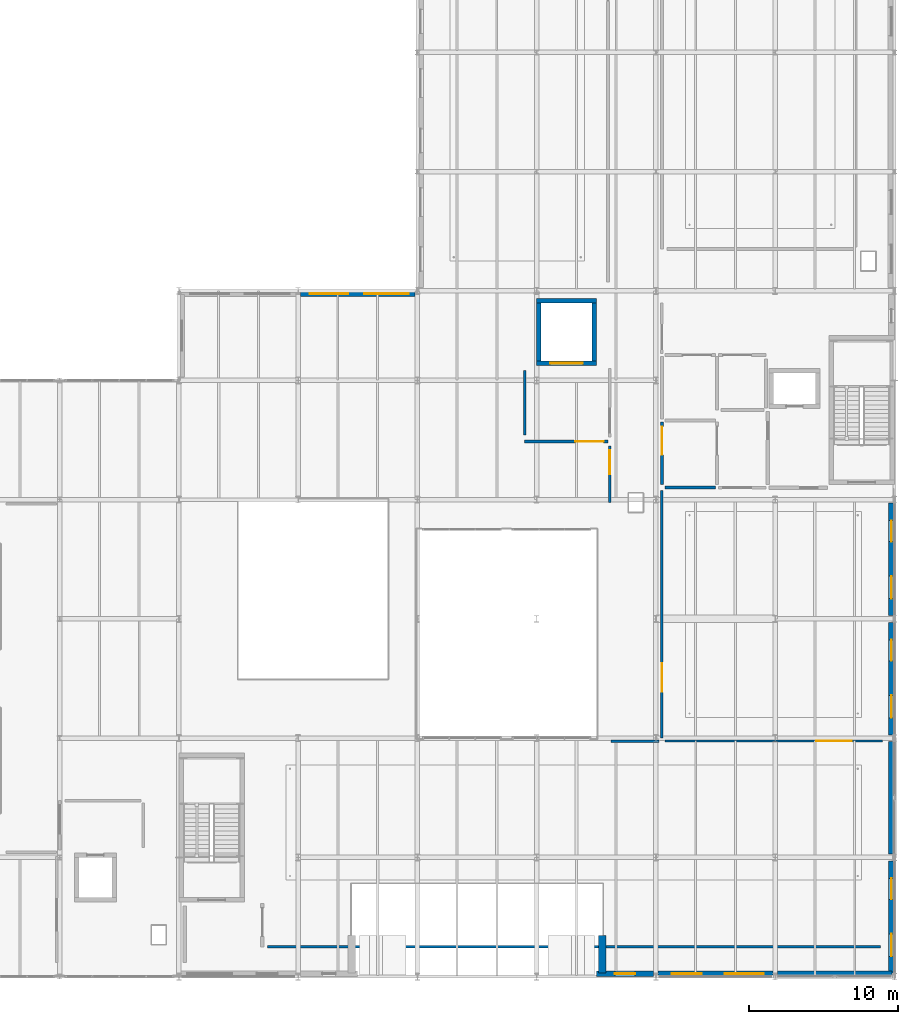
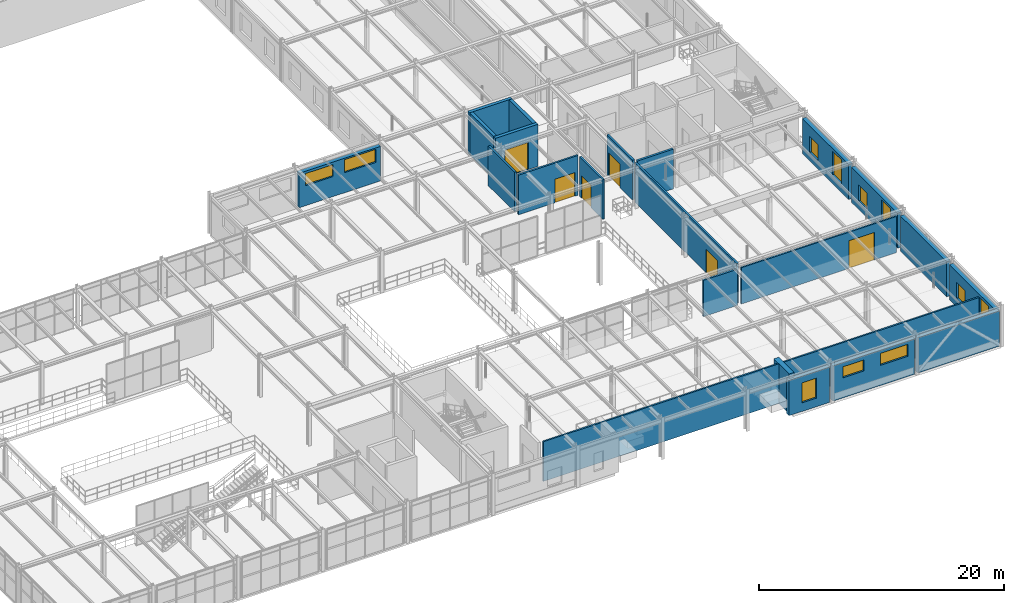
# One storey, part 86 of 124: 22 walls, 11 windows, 6 doors, 17 openings.
"""IFC4 building model written with IfcOpenShell, lengths in metres."""

from ifc_helpers import new_model, si_unit, direction, frame, frame_2d, origin, place, context, subcontext, project, spatial, rectangle, extrude, material, layer, layer_set, type_object, element, fill, save


model = new_model("IFC4")

# Units and contexts
model_context = context("Model", 3, precision=1e-05, world=origin(), true_north=direction((0.0, 1.0)))
body_context = subcontext(model_context, "Body", "Model", "MODEL_VIEW")
ifc_project = project(units=[si_unit("LENGTHUNIT", "METRE"), si_unit("AREAUNIT", "SQUARE_METRE"), si_unit("VOLUMEUNIT", "CUBIC_METRE"), si_unit("PLANEANGLEUNIT", "RADIAN"), si_unit("MASSUNIT", "GRAM", prefix="KILO")], contexts=[model_context])

# Site, building, storey
site_placement = place(None, origin())
site = spatial("IfcSite", under=ifc_project, at=site_placement, CompositionType="ELEMENT")
building_placement = place(site_placement, origin())
building = spatial("IfcBuilding", under=site, at=building_placement, Name="Sundkrona Museum", CompositionType="ELEMENT")
storey_placement = place(building_placement, frame((0.0, 0.0, 17.60009765625)))
storey = spatial("IfcBuildingStorey", under=building, at=storey_placement, Name="L03", CompositionType="ELEMENT", Elevation=17.60009765625)

# Wall, opening, door
ifc_material_1 = material(Name="Concrete C40/50", Category="concrete")
ifc_layer_1 = layer(ifc_material_1, 0.300048828125)
ifc_layer_set_1 = layer_set([ifc_layer_1], Name="Concrete C40/50")
wall_type_1 = type_object("IfcWallType", Name="W-CORE-300", PredefinedType="SHEAR", material=ifc_layer_set_1)
wall_1_placement = place(storey_placement, frame((144.0, 41.14990234375, 0.0), z_axis=(0.0, 0.0, 1.0), x_axis=(1.0, 0.0, 0.0)))
wall_1 = element("IfcWall", 1, at=wall_1_placement, inside=storey, type_object=wall_type_1, Name="L03 GL-1 Lift Shaft Wall South", PredefinedType="SHEAR", context=body_context, shape_type="SweptSolid", body=[
    extrude(rectangle(XDim=4.0, YDim=0.300048828125, at=frame_2d((2.0, 0.0))), origin(), (0.0, 0.0, 1.0), 4.199951171875),
])
opening_1_placement = place(wall_1_placement, frame((0.89990234375, 0.0, 0.0)))
opening_1 = element("IfcOpeningElement", 2, at=opening_1_placement, cuts=wall_1, Name="Opening LD-GL", PredefinedType="OPENING", context=body_context, shape_type="SweptSolid", body=[
    extrude(rectangle(XDim=2.199951171875, YDim=2.699951171875, at=frame_2d((1.10009765625, 1.35009765625))), frame((0.0, 0.159912109375, 0.0), z_axis=(0.0, -1.0, 0.0), x_axis=(1.0, 0.0, 0.0)), (0.0, 0.0, 1.0), 0.320068359375),
])
ifc_material_2 = material(Name="Heavy Stainless Steel Goods Lift Door", Category="steel")
door_type_1 = type_object("IfcDoorType", Name="LD-GL", OperationType="DOUBLE_DOOR_SLIDING", PredefinedType="DOOR", material=ifc_material_2)
door_1_placement = place(opening_1_placement, origin())
door_1 = element("IfcDoor", 3, at=door_1_placement, inside=storey, type_object=door_type_1, Name="L03 Goods Lift Landing Door DR-LIFT-GL-1-L03", OperationType="DOUBLE_DOOR_SLIDING", OverallHeight=2.699951171875, OverallWidth=2.199951171875, PredefinedType="DOOR", context=body_context, shape_type="SweptSolid", body=[
    extrude(rectangle(XDim=2.199951171875, YDim=2.699951171875, at=frame_2d((1.10009765625, 1.35009765625))), frame((0.0, 0.02490234375, 0.0), z_axis=(0.0, -1.0, 0.0), x_axis=(1.0, 0.0, 0.0)), (0.0, 0.0, 1.0), 0.050048828125),
])
fill(opening_1, door_1)

# Walls
wall_2_placement = place(storey_placement, frame((144.0, 45.35009765625, 0.0), z_axis=(0.0, 0.0, 1.0), x_axis=(1.0, 0.0, 0.0)))
element("IfcWall", 4, at=wall_2_placement, inside=storey, type_object=wall_type_1, Name="L03 GL-1 Lift Shaft Wall North", PredefinedType="SHEAR", context=body_context, shape_type="SweptSolid", body=[
    extrude(rectangle(XDim=4.0, YDim=0.300048828125, at=frame_2d((2.0, 0.0))), origin(), (0.0, 0.0, 1.0), 4.199951171875),
])
for number, where, z_axis, x_axis, name in (
    (5, (144.14990234375, 41.31005859375, 0.0), (0.0, 0.0, 1.0), (0.0, 1.0, 0.0), "L03 GL-1 Lift Shaft Wall West"),
    (6, (147.85009765625, 41.31005859375, 0.0), (0.0, 0.0, 1.0), (0.0, 1.0, 0.0), "L03 GL-1 Lift Shaft Wall East"),
):
    element("IfcWall", number, at=place(storey_placement, frame(where, z_axis=z_axis, x_axis=x_axis)), inside=storey, type_object=wall_type_1, Name=name, PredefinedType="SHEAR", context=body_context, shape_type="SweptSolid", body=[
        extrude(rectangle(XDim=3.8798828125, YDim=0.300048828125, at=frame_2d((1.93994140625, 0.0))), origin(), (0.0, 0.0, 1.0), 4.199951171875),
    ])

# Wall, openings, windows
ifc_material_3 = material(Name="Scanian Polychrome Clay Brickwork 390 mm", Category="masonry")
ifc_layer_2 = layer(ifc_material_3, 0.389892578125)
ifc_layer_set_2 = layer_set([ifc_layer_2], Name="Scanian Polychrome Clay Brickwork 390 mm")
wall_type_2 = type_object("IfcWallType", Name="W-EX-390", PredefinedType="SOLIDWALL", material=ifc_layer_set_2)
wall_3_placement = place(storey_placement, frame((159.847900390625, 0.195068359375, 0.0), z_axis=(0.0, 0.0, 1.0), x_axis=(-1.0, 0.0, 0.0)))
wall_3 = element("IfcWall", 7, at=wall_3_placement, inside=storey, type_object=wall_type_2, Name="L03 Facade Wall 0040", PredefinedType="SOLIDWALL", context=body_context, shape_type="SweptSolid", body=[
    extrude(rectangle(XDim=7.69580078125, YDim=0.389892578125, at=frame_2d((3.847900390625, 0.0))), origin(), (0.0, 0.0, 1.0), 3.5048828125),
])
opening_2_placement = place(wall_3_placement, frame((0.6240234375, 0.0, 2.0)))
opening_2 = element("IfcOpeningElement", 8, at=opening_2_placement, cuts=wall_3, Name="Opening WN-CL-260x120", PredefinedType="OPENING", context=body_context, shape_type="SweptSolid", body=[
    extrude(rectangle(XDim=2.60009765625, YDim=1.199951171875, at=frame_2d((1.300048828125, 0.60009765625))), frame((0.0, 0.204833984375, 0.0), z_axis=(0.0, -1.0, 0.0), x_axis=(1.0, 0.0, 0.0)), (0.0, 0.0, 1.0), 0.409912109375),
])
opening_3_placement = place(wall_3_placement, frame((4.77197265625, 0.0, 2.0)))
opening_3 = element("IfcOpeningElement", 9, at=opening_3_placement, cuts=wall_3, Name="Opening WN-CL-200x110", PredefinedType="OPENING", context=body_context, shape_type="SweptSolid", body=[
    extrude(rectangle(XDim=2.0, YDim=1.10009765625, at=frame_2d((1.0, 0.550048828125))), frame((0.0, 0.204833984375, 0.0), z_axis=(0.0, -1.0, 0.0), x_axis=(1.0, 0.0, 0.0)), (0.0, 0.0, 1.0), 0.409912109375),
])
ifc_material_4 = material(Name="Triple Low-E Argon Glazing in Bronze-Anodised Aluminium", Category="aluminium")
window_type_1 = type_object("IfcWindowType", Name="WN-CL-200x110", PartitioningType="DOUBLE_PANEL_HORIZONTAL", PredefinedType="WINDOW", material=ifc_material_4)
window_1_placement = place(opening_3_placement, origin())
window_1 = element("IfcWindow", 10, at=window_1_placement, inside=storey, type_object=window_type_1, Name="L03 Archive foyer clerestory window 2000x1100 WIN-L03-0053", OverallHeight=1.10009765625, OverallWidth=2.0, PartitioningType="DOUBLE_PANEL_HORIZONTAL", PredefinedType="WINDOW", context=body_context, shape_type="SweptSolid", body=[
    extrude(rectangle(XDim=2.0, YDim=1.10009765625, at=frame_2d((1.0, 0.550048828125))), frame((0.0, 0.030029296875, 0.0), z_axis=(0.0, -1.0, 0.0), x_axis=(1.0, 0.0, 0.0)), (0.0, 0.0, 1.0), 0.06005859375),
])
fill(opening_3, window_1)
window_type_2 = type_object("IfcWindowType", Name="WN-CL-260x120", PartitioningType="DOUBLE_PANEL_HORIZONTAL", PredefinedType="WINDOW", material=ifc_material_4)
window_2_placement = place(opening_2_placement, origin())
window_2 = element("IfcWindow", 11, at=window_2_placement, inside=storey, type_object=window_type_2, Name="L03 High-level gallery clerestory ribbon window 2600x1200 WIN-L03-0052", OverallHeight=1.199951171875, OverallWidth=2.60009765625, PartitioningType="DOUBLE_PANEL_HORIZONTAL", PredefinedType="WINDOW", context=body_context, shape_type="SweptSolid", body=[
    extrude(rectangle(XDim=2.60009765625, YDim=1.199951171875, at=frame_2d((1.300048828125, 0.60009765625))), frame((0.0, 0.030029296875, 0.0), z_axis=(0.0, -1.0, 0.0), x_axis=(1.0, 0.0, 0.0)), (0.0, 0.0, 1.0), 0.06005859375),
])
fill(opening_2, window_2)

# Wall
wall_4_placement = place(storey_placement, frame((167.847900390625, 0.195068359375, 0.0), z_axis=(0.0, 0.0, 1.0), x_axis=(-1.0, 0.0, 0.0)))
element("IfcWall", 12, at=wall_4_placement, inside=storey, type_object=wall_type_2, Name="L03 Facade Wall 0041", PredefinedType="SOLIDWALL", context=body_context, shape_type="SweptSolid", body=[
    extrude(rectangle(XDim=7.69580078125, YDim=0.389892578125, at=frame_2d((3.847900390625, 0.0))), origin(), (0.0, 0.0, 1.0), 3.5048828125),
])

# Wall, opening, window
wall_5_placement = place(storey_placement, frame((151.847900390625, 0.195068359375, 0.0), z_axis=(0.0, 0.0, 1.0), x_axis=(-1.0, 0.0, 0.0)))
wall_5 = element("IfcWall", 13, at=wall_5_placement, inside=storey, type_object=wall_type_2, Name="L03 Facade Wall 0042", PredefinedType="SOLIDWALL", context=body_context, shape_type="SweptSolid", body=[
    extrude(rectangle(XDim=3.837890625, YDim=0.389892578125, at=frame_2d((1.9189453125, 0.0))), origin(), (0.0, 0.0, 1.0), 3.5048828125),
])
opening_4_placement = place(wall_5_placement, frame((1.243896484375, 0.0, 0.85009765625)))
opening_4 = element("IfcOpeningElement", 14, at=opening_4_placement, cuts=wall_5, Name="Opening WN-OC-135x200", PredefinedType="OPENING", context=body_context, shape_type="SweptSolid", body=[
    extrude(rectangle(XDim=1.35009765625, YDim=2.0, at=frame_2d((0.675048828125, 1.0))), frame((0.0, 0.204833984375, 0.0), z_axis=(0.0, -1.0, 0.0), x_axis=(1.0, 0.0, 0.0)), (0.0, 0.0, 1.0), 0.409912109375),
])
window_type_3 = type_object("IfcWindowType", Name="WN-OC-135x200", PartitioningType="SINGLE_PANEL", PredefinedType="WINDOW", material=ifc_material_4)
window_3_placement = place(opening_4_placement, origin())
window_3 = element("IfcWindow", 15, at=window_3_placement, inside=storey, type_object=window_type_3, Name="L03 Oculus cheek-reveal side window 1350x2000 WIN-L03-0054", OverallHeight=2.0, OverallWidth=1.35009765625, PartitioningType="SINGLE_PANEL", PredefinedType="WINDOW", context=body_context, shape_type="SweptSolid", body=[
    extrude(rectangle(XDim=1.35009765625, YDim=2.0, at=frame_2d((0.675048828125, 1.0))), frame((0.0, 0.030029296875, 0.0), z_axis=(0.0, -1.0, 0.0), x_axis=(1.0, 0.0, 0.0)), (0.0, 0.0, 1.0), 0.06005859375),
])
fill(opening_4, window_3)

# Wall, openings, windows
wall_6_placement = place(storey_placement, frame((167.804931640625, 7.77294921875, 0.0), z_axis=(0.0, 0.0, 1.0), x_axis=(0.0, -1.0, 0.0)))
wall_6 = element("IfcWall", 16, at=wall_6_placement, inside=storey, type_object=wall_type_2, Name="L03 Facade Wall 0043", PredefinedType="SOLIDWALL", context=body_context, shape_type="SweptSolid", body=[
    extrude(rectangle(XDim=7.5458984375, YDim=0.389892578125, at=frame_2d((3.77294921875, 0.0))), origin(), (0.0, 0.0, 1.0), 3.5048828125),
])
opening_5_placement = place(wall_6_placement, frame((1.1865234375, 0.0, 0.85009765625)))
opening_5 = element("IfcOpeningElement", 17, at=opening_5_placement, cuts=wall_6, Name="Opening WN-LB-140x160", PredefinedType="OPENING", context=body_context, shape_type="SweptSolid", body=[
    extrude(rectangle(XDim=1.39990234375, YDim=1.60009765625, at=frame_2d((0.699951171875, 0.800048828125))), frame((0.0, 0.204833984375, 0.0), z_axis=(0.0, -1.0, 0.0), x_axis=(1.0, 0.0, 0.0)), (0.0, 0.0, 1.0), 0.409912109375),
])
opening_6_placement = place(wall_6_placement, frame((4.909423828125, 0.0, 0.85009765625)))
opening_6 = element("IfcOpeningElement", 18, at=opening_6_placement, cuts=wall_6, Name="Opening WN-GL-150x240", PredefinedType="OPENING", context=body_context, shape_type="SweptSolid", body=[
    extrude(rectangle(XDim=1.5, YDim=2.39990234375, at=frame_2d((0.75, 1.199951171875))), frame((0.0, 0.204833984375, 0.0), z_axis=(0.0, -1.0, 0.0), x_axis=(1.0, 0.0, 0.0)), (0.0, 0.0, 1.0), 0.409912109375),
])
window_type_4 = type_object("IfcWindowType", Name="WN-GL-150x240", PartitioningType="SINGLE_PANEL", PredefinedType="WINDOW", material=ifc_material_4)
window_4_placement = place(opening_6_placement, origin())
window_4 = element("IfcWindow", 19, at=window_4_placement, inside=storey, type_object=window_type_4, Name="L03 Finned wing deep-reveal gallery window 1500x2400 WIN-L03-0056", OverallHeight=2.39990234375, OverallWidth=1.5, PartitioningType="SINGLE_PANEL", PredefinedType="WINDOW", context=body_context, shape_type="SweptSolid", body=[
    extrude(rectangle(XDim=1.5, YDim=2.39990234375, at=frame_2d((0.75, 1.199951171875))), frame((0.0, 0.030029296875, 0.0), z_axis=(0.0, -1.0, 0.0), x_axis=(1.0, 0.0, 0.0)), (0.0, 0.0, 1.0), 0.06005859375),
])
fill(opening_6, window_4)
window_type_5 = type_object("IfcWindowType", Name="WN-LB-140x160", PartitioningType="SINGLE_PANEL", PredefinedType="WINDOW", material=ifc_material_4)
window_5_placement = place(opening_5_placement, origin())
window_5 = element("IfcWindow", 20, at=window_5_placement, inside=storey, type_object=window_type_5, Name="L03 Curatorial study window 1400x1600 WIN-L03-0055", OverallHeight=1.60009765625, OverallWidth=1.39990234375, PartitioningType="SINGLE_PANEL", PredefinedType="WINDOW", context=body_context, shape_type="SweptSolid", body=[
    extrude(rectangle(XDim=1.39990234375, YDim=1.60009765625, at=frame_2d((0.699951171875, 0.800048828125))), frame((0.0, 0.030029296875, 0.0), z_axis=(0.0, -1.0, 0.0), x_axis=(1.0, 0.0, 0.0)), (0.0, 0.0, 1.0), 0.06005859375),
])
fill(opening_5, window_5)

# Wall
wall_7_placement = place(storey_placement, frame((167.804931640625, 15.77294921875, 0.0), z_axis=(0.0, 0.0, 1.0), x_axis=(0.0, -1.0, 0.0)))
element("IfcWall", 21, at=wall_7_placement, inside=storey, type_object=wall_type_2, Name="L03 Facade Wall 0044", PredefinedType="SOLIDWALL", context=body_context, shape_type="SweptSolid", body=[
    extrude(rectangle(XDim=7.5458984375, YDim=0.389892578125, at=frame_2d((3.77294921875, 0.0))), origin(), (0.0, 0.0, 1.0), 3.5048828125),
])

# Wall, openings, windows
wall_8_placement = place(storey_placement, frame((167.804931640625, 23.77294921875, 0.0), z_axis=(0.0, 0.0, 1.0), x_axis=(0.0, -1.0, 0.0)))
wall_8 = element("IfcWall", 22, at=wall_8_placement, inside=storey, type_object=wall_type_2, Name="L03 Facade Wall 0045", PredefinedType="SOLIDWALL", context=body_context, shape_type="SweptSolid", body=[
    extrude(rectangle(XDim=7.5458984375, YDim=0.389892578125, at=frame_2d((3.77294921875, 0.0))), origin(), (0.0, 0.0, 1.0), 3.5048828125),
])
opening_7_placement = place(wall_8_placement, frame((1.1865234375, 0.0, 0.85009765625)))
opening_7 = element("IfcOpeningElement", 23, at=opening_7_placement, cuts=wall_8, Name="Opening WN-LB-140x160", PredefinedType="OPENING", context=body_context, shape_type="SweptSolid", body=[
    extrude(rectangle(XDim=1.39990234375, YDim=1.60009765625, at=frame_2d((0.699951171875, 0.800048828125))), frame((0.0, 0.204833984375, 0.0), z_axis=(0.0, -1.0, 0.0), x_axis=(1.0, 0.0, 0.0)), (0.0, 0.0, 1.0), 0.409912109375),
])
opening_8_placement = place(wall_8_placement, frame((4.909423828125, 0.0, 0.85009765625)))
opening_8 = element("IfcOpeningElement", 24, at=opening_8_placement, cuts=wall_8, Name="Opening WN-GL-150x240", PredefinedType="OPENING", context=body_context, shape_type="SweptSolid", body=[
    extrude(rectangle(XDim=1.5, YDim=2.39990234375, at=frame_2d((0.75, 1.199951171875))), frame((0.0, 0.204833984375, 0.0), z_axis=(0.0, -1.0, 0.0), x_axis=(1.0, 0.0, 0.0)), (0.0, 0.0, 1.0), 0.409912109375),
])
window_6_placement = place(opening_8_placement, origin())
window_6 = element("IfcWindow", 25, at=window_6_placement, inside=storey, type_object=window_type_4, Name="L03 Finned wing deep-reveal gallery window 1500x2400 WIN-L03-0058", OverallHeight=2.39990234375, OverallWidth=1.5, PartitioningType="SINGLE_PANEL", PredefinedType="WINDOW", context=body_context, shape_type="SweptSolid", body=[
    extrude(rectangle(XDim=1.5, YDim=2.39990234375, at=frame_2d((0.75, 1.199951171875))), frame((0.0, 0.030029296875, 0.0), z_axis=(0.0, -1.0, 0.0), x_axis=(1.0, 0.0, 0.0)), (0.0, 0.0, 1.0), 0.06005859375),
])
fill(opening_8, window_6)
window_7_placement = place(opening_7_placement, origin())
window_7 = element("IfcWindow", 26, at=window_7_placement, inside=storey, type_object=window_type_5, Name="L03 Curatorial study window 1400x1600 WIN-L03-0057", OverallHeight=1.60009765625, OverallWidth=1.39990234375, PartitioningType="SINGLE_PANEL", PredefinedType="WINDOW", context=body_context, shape_type="SweptSolid", body=[
    extrude(rectangle(XDim=1.39990234375, YDim=1.60009765625, at=frame_2d((0.699951171875, 0.800048828125))), frame((0.0, 0.030029296875, 0.0), z_axis=(0.0, -1.0, 0.0), x_axis=(1.0, 0.0, 0.0)), (0.0, 0.0, 1.0), 0.06005859375),
])
fill(opening_7, window_7)

wall_9_placement = place(storey_placement, frame((167.804931640625, 31.77294921875, 0.0), z_axis=(0.0, 0.0, 1.0), x_axis=(0.0, -1.0, 0.0)))
wall_9 = element("IfcWall", 27, at=wall_9_placement, inside=storey, type_object=wall_type_2, Name="L03 Facade Wall 0046", PredefinedType="SOLIDWALL", context=body_context, shape_type="SweptSolid", body=[
    extrude(rectangle(XDim=7.5458984375, YDim=0.389892578125, at=frame_2d((3.77294921875, 0.0))), origin(), (0.0, 0.0, 1.0), 3.5048828125),
])
opening_9_placement = place(wall_9_placement, frame((1.1865234375, 0.0, 0.85009765625)))
opening_9 = element("IfcOpeningElement", 28, at=opening_9_placement, cuts=wall_9, Name="Opening WN-LB-140x160", PredefinedType="OPENING", context=body_context, shape_type="SweptSolid", body=[
    extrude(rectangle(XDim=1.39990234375, YDim=1.60009765625, at=frame_2d((0.699951171875, 0.800048828125))), frame((0.0, 0.204833984375, 0.0), z_axis=(0.0, -1.0, 0.0), x_axis=(1.0, 0.0, 0.0)), (0.0, 0.0, 1.0), 0.409912109375),
])
opening_10_placement = place(wall_9_placement, frame((4.909423828125, 0.0, 0.85009765625)))
opening_10 = element("IfcOpeningElement", 29, at=opening_10_placement, cuts=wall_9, Name="Opening WN-GL-150x240", PredefinedType="OPENING", context=body_context, shape_type="SweptSolid", body=[
    extrude(rectangle(XDim=1.5, YDim=2.39990234375, at=frame_2d((0.75, 1.199951171875))), frame((0.0, 0.204833984375, 0.0), z_axis=(0.0, -1.0, 0.0), x_axis=(1.0, 0.0, 0.0)), (0.0, 0.0, 1.0), 0.409912109375),
])
window_8_placement = place(opening_10_placement, origin())
window_8 = element("IfcWindow", 30, at=window_8_placement, inside=storey, type_object=window_type_4, Name="L03 Finned wing deep-reveal gallery window 1500x2400 WIN-L03-0060", OverallHeight=2.39990234375, OverallWidth=1.5, PartitioningType="SINGLE_PANEL", PredefinedType="WINDOW", context=body_context, shape_type="SweptSolid", body=[
    extrude(rectangle(XDim=1.5, YDim=2.39990234375, at=frame_2d((0.75, 1.199951171875))), frame((0.0, 0.030029296875, 0.0), z_axis=(0.0, -1.0, 0.0), x_axis=(1.0, 0.0, 0.0)), (0.0, 0.0, 1.0), 0.06005859375),
])
fill(opening_10, window_8)
window_9_placement = place(opening_9_placement, origin())
window_9 = element("IfcWindow", 31, at=window_9_placement, inside=storey, type_object=window_type_5, Name="L03 Curatorial study window 1400x1600 WIN-L03-0059", OverallHeight=1.60009765625, OverallWidth=1.39990234375, PartitioningType="SINGLE_PANEL", PredefinedType="WINDOW", context=body_context, shape_type="SweptSolid", body=[
    extrude(rectangle(XDim=1.39990234375, YDim=1.60009765625, at=frame_2d((0.699951171875, 0.800048828125))), frame((0.0, 0.030029296875, 0.0), z_axis=(0.0, -1.0, 0.0), x_axis=(1.0, 0.0, 0.0)), (0.0, 0.0, 1.0), 0.06005859375),
])
fill(opening_9, window_9)

# Wall
ifc_material_5 = material(Name="Danian Limestone Ashlar Masonry 480 mm", Category="masonry")
ifc_layer_3 = layer(ifc_material_5, 0.47998046875)
ifc_layer_set_3 = layer_set([ifc_layer_3], Name="Danian Limestone Ashlar Masonry 480 mm")
wall_type_3 = type_object("IfcWallType", Name="W-LIM-480", PredefinedType="SOLIDWALL", material=ifc_layer_set_3)
wall_10_placement = place(storey_placement, frame((148.39990234375, 0.239990234375, 0.0), z_axis=(0.0, 0.0, 1.0), x_axis=(0.0, 1.0, 0.0)))
element("IfcWall", 32, at=wall_10_placement, inside=storey, type_object=wall_type_3, Name="L03 Oculus Deep Reveal East Wall", PredefinedType="SOLIDWALL", context=body_context, shape_type="SweptSolid", body=[
    extrude(rectangle(XDim=2.510009765625, YDim=0.47998046875, at=frame_2d((1.2548828125, 0.0))), origin(), (0.0, 0.0, 1.0), 3.9599609375),
])

# Wall, opening, door
ifc_material_6 = material(Name="Acoustic Gypsum Partition Board 150 mm", Category="other")
ifc_layer_4 = layer(ifc_material_6, 0.14990234375)
ifc_layer_set_4 = layer_set([ifc_layer_4], Name="Acoustic Gypsum Partition Board 150 mm")
wall_type_4 = type_object("IfcWallType", Name="W-PT-150", PredefinedType="PARTITIONING", material=ifc_layer_set_4)
wall_11_placement = place(storey_placement, frame((152.60009765625, 15.800048828125, 0.0), z_axis=(0.0, 0.0, 1.0), x_axis=(1.0, 0.0, 0.0)))
wall_11 = element("IfcWall", 33, at=wall_11_placement, inside=storey, type_object=wall_type_4, Name="L03 Partition Evolutionary Biology Gallery / Ornithology Exhibition Hall", PredefinedType="PARTITIONING", context=body_context, shape_type="SweptSolid", body=[
    extrude(rectangle(XDim=14.599853515625, YDim=0.14990234375, at=frame_2d((7.2998046875, 0.0))), origin(), (0.0, 0.0, 1.0), 3.60986328125),
])
opening_11_placement = place(wall_11_placement, frame((10.142333984375, 0.0, 0.0)))
opening_11 = element("IfcOpeningElement", 34, at=opening_11_placement, cuts=wall_11, Name="Opening D-GAL-240", PredefinedType="OPENING", context=body_context, shape_type="SweptSolid", body=[
    extrude(rectangle(XDim=2.39990234375, YDim=2.75, at=frame_2d((1.199951171875, 1.375))), frame((0.0, 0.0849609375, 0.0), z_axis=(0.0, -1.0, 0.0), x_axis=(1.0, 0.0, 0.0)), (0.0, 0.0, 1.0), 0.169921875),
])
ifc_material_7 = material(Name="European Oak and Bronze Portal", Category="other")
door_type_2 = type_object("IfcDoorType", Name="D-GAL-240", OperationType="DOUBLE_DOOR_DOUBLE_SWING", PredefinedType="DOOR", material=ifc_material_7)
door_2_placement = place(opening_11_placement, origin())
door_2 = element("IfcDoor", 35, at=door_2_placement, inside=storey, type_object=door_type_2, Name="L03 Interior Door DR-ADJ-L03-0177", OperationType="DOUBLE_DOOR_DOUBLE_SWING", OverallHeight=2.75, OverallWidth=2.39990234375, PredefinedType="DOOR", context=body_context, shape_type="SweptSolid", body=[
    extrude(rectangle(XDim=2.39990234375, YDim=2.75, at=frame_2d((1.199951171875, 1.375))), frame((0.0, 0.02490234375, 0.0), z_axis=(0.0, -1.0, 0.0), x_axis=(1.0, 0.0, 0.0)), (0.0, 0.0, 1.0), 0.050048828125),
])
fill(opening_11, door_2)

# Wall
wall_12_placement = place(storey_placement, frame((125.949951171875, 2.0, 0.0), z_axis=(0.0, 0.0, 1.0), x_axis=(1.0, 0.0, 0.0)))
element("IfcWall", 36, at=wall_12_placement, inside=storey, type_object=wall_type_4, Name="L03 Evolutionary Biology Gallery Enclosure Wall S", PredefinedType="PARTITIONING", context=body_context, shape_type="SweptSolid", body=[
    extrude(rectangle(XDim=41.10009765625, YDim=0.14990234375, at=frame_2d((20.550048828125, 0.0))), origin(), (0.0, 0.0, 1.0), 3.9599609375),
])

# Wall, opening, door
ifc_material_8 = material(Name="Fire-rated Gypsum Partition Board 175 mm", Category="other")
ifc_layer_5 = layer(ifc_material_8, 0.175048828125)
ifc_layer_set_5 = layer_set([ifc_layer_5], Name="Fire-rated Gypsum Partition Board 175 mm")
wall_type_5 = type_object("IfcWallType", Name="W-PT-175", PredefinedType="PARTITIONING", material=ifc_layer_set_5)
wall_13_placement = place(storey_placement, frame((143.199951171875, 35.89990234375, 0.0), z_axis=(0.0, 0.0, 1.0), x_axis=(1.0, 0.0, 0.0)))
wall_13 = element("IfcWall", 37, at=wall_13_placement, inside=storey, type_object=wall_type_5, Name="L03 Partition Goods Lift Lobby / Volume 1 Level 03 North Link", PredefinedType="PARTITIONING", context=body_context, shape_type="SweptSolid", body=[
    extrude(rectangle(XDim=5.60009765625, YDim=0.175048828125, at=frame_2d((2.800048828125, 0.0))), origin(), (0.0, 0.0, 1.0), 3.9599609375),
])
opening_12_placement = place(wall_13_placement, frame((3.39990234375, 0.0, 0.0)))
opening_12 = element("IfcOpeningElement", 38, at=opening_12_placement, cuts=wall_13, Name="Opening D-AUD-190", PredefinedType="OPENING", context=body_context, shape_type="SweptSolid", body=[
    extrude(rectangle(XDim=1.89990234375, YDim=2.35009765625, at=frame_2d((0.949951171875, 1.175048828125))), frame((0.0, 0.097412109375, 0.0), z_axis=(0.0, -1.0, 0.0), x_axis=(1.0, 0.0, 0.0)), (0.0, 0.0, 1.0), 0.195068359375),
])
ifc_material_9 = material(Name="Acoustic Oak Fire Door", Category="other")
door_type_3 = type_object("IfcDoorType", Name="D-AUD-190", OperationType="DOUBLE_DOOR_SINGLE_SWING", PredefinedType="DOOR", material=ifc_material_9)
door_3_placement = place(opening_12_placement, origin())
door_3 = element("IfcDoor", 39, at=door_3_placement, inside=storey, type_object=door_type_3, Name="L03 Interior Door DR-ADJ-L03-0149", OperationType="DOUBLE_DOOR_SINGLE_SWING", OverallHeight=2.35009765625, OverallWidth=1.89990234375, PredefinedType="DOOR", context=body_context, shape_type="SweptSolid", body=[
    extrude(rectangle(XDim=1.89990234375, YDim=2.35009765625, at=frame_2d((0.949951171875, 1.175048828125))), frame((0.0, 0.02490234375, 0.0), z_axis=(0.0, -1.0, 0.0), x_axis=(1.0, 0.0, 0.0)), (0.0, 0.0, 1.0), 0.050048828125),
])
fill(opening_12, door_3)

wall_14_placement = place(storey_placement, frame((148.89990234375, 31.800048828125, 0.0), z_axis=(0.0, 0.0, 1.0), x_axis=(0.0, 1.0, 0.0)))
wall_14 = element("IfcWall", 40, at=wall_14_placement, inside=storey, type_object=wall_type_5, Name="L03 Partition Volume 1 Level 03 North Link / East Laboratory Spine", PredefinedType="PARTITIONING", context=body_context, shape_type="SweptSolid", body=[
    extrude(rectangle(XDim=3.800048828125, YDim=0.175048828125, at=frame_2d((1.89990234375, 0.0))), origin(), (0.0, 0.0, 1.0), 3.9599609375),
])
opening_13_placement = place(wall_14_placement, frame((1.89990234375, 0.0, 0.0)))
opening_13 = element("IfcOpeningElement", 41, at=opening_13_placement, cuts=wall_14, Name="Opening D-CMP-160", PredefinedType="OPENING", context=body_context, shape_type="SweptSolid", body=[
    extrude(rectangle(XDim=1.60009765625, YDim=2.25, at=frame_2d((0.800048828125, 1.125))), frame((0.0, 0.097412109375, 0.0), z_axis=(0.0, -1.0, 0.0), x_axis=(1.0, 0.0, 0.0)), (0.0, 0.0, 1.0), 0.195068359375),
])
ifc_material_10 = material(Name="Glazed Steel Fire Screen Door", Category="steel")
door_type_4 = type_object("IfcDoorType", Name="D-CMP-160", OperationType="DOUBLE_DOOR_SINGLE_SWING", PredefinedType="DOOR", material=ifc_material_10)
door_4_placement = place(opening_13_placement, origin())
door_4 = element("IfcDoor", 42, at=door_4_placement, inside=storey, type_object=door_type_4, Name="L03 Interior Door DR-ADJ-L03-0164", OperationType="DOUBLE_DOOR_SINGLE_SWING", OverallHeight=2.25, OverallWidth=1.60009765625, PredefinedType="DOOR", context=body_context, shape_type="SweptSolid", body=[
    extrude(rectangle(XDim=1.60009765625, YDim=2.25, at=frame_2d((0.800048828125, 1.125))), frame((0.0, 0.02490234375, 0.0), z_axis=(0.0, -1.0, 0.0), x_axis=(1.0, 0.0, 0.0)), (0.0, 0.0, 1.0), 0.050048828125),
])
fill(opening_13, door_4)

# Wall
wall_15_placement = place(storey_placement, frame((149.0, 15.800048828125, 0.0), z_axis=(0.0, 0.0, 1.0), x_axis=(1.0, 0.0, 0.0)))
element("IfcWall", 43, at=wall_15_placement, inside=storey, type_object=wall_type_5, Name="L03 Partition East Laboratory Spine / Evolutionary Biology Gallery", PredefinedType="PARTITIONING", context=body_context, shape_type="SweptSolid", body=[
    extrude(rectangle(XDim=3.199951171875, YDim=0.175048828125, at=frame_2d((1.60009765625, 0.0))), origin(), (0.0, 0.0, 1.0), 3.60986328125),
])

# Wall, opening, door
wall_16_placement = place(storey_placement, frame((152.39990234375, 16.0, 0.0), z_axis=(0.0, 0.0, 1.0), x_axis=(0.0, 1.0, 0.0)))
wall_16 = element("IfcWall", 44, at=wall_16_placement, inside=storey, type_object=wall_type_5, Name="L03 Partition East Laboratory Spine / Ornithology Exhibition Hall", PredefinedType="PARTITIONING", context=body_context, shape_type="SweptSolid", body=[
    extrude(rectangle(XDim=16.60009765625, YDim=0.175048828125, at=frame_2d((8.300048828125, 0.0))), origin(), (0.0, 0.0, 1.0), 3.9599609375),
])
opening_14_placement = place(wall_16_placement, frame((3.1201171875, 0.0, 0.0)))
opening_14 = element("IfcOpeningElement", 45, at=opening_14_placement, cuts=wall_16, Name="Opening D-AUD-190", PredefinedType="OPENING", context=body_context, shape_type="SweptSolid", body=[
    extrude(rectangle(XDim=1.89990234375, YDim=2.35009765625, at=frame_2d((0.949951171875, 1.175048828125))), frame((0.0, 0.097412109375, 0.0), z_axis=(0.0, -1.0, 0.0), x_axis=(1.0, 0.0, 0.0)), (0.0, 0.0, 1.0), 0.195068359375),
])
door_5_placement = place(opening_14_placement, origin())
door_5 = element("IfcDoor", 46, at=door_5_placement, inside=storey, type_object=door_type_3, Name="L03 Interior Door DR-ADJ-L03-0166", OperationType="DOUBLE_DOOR_SINGLE_SWING", OverallHeight=2.35009765625, OverallWidth=1.89990234375, PredefinedType="DOOR", context=body_context, shape_type="SweptSolid", body=[
    extrude(rectangle(XDim=1.89990234375, YDim=2.35009765625, at=frame_2d((0.949951171875, 1.175048828125))), frame((0.0, 0.02490234375, 0.0), z_axis=(0.0, -1.0, 0.0), x_axis=(1.0, 0.0, 0.0)), (0.0, 0.0, 1.0), 0.050048828125),
])
fill(opening_14, door_5)

# Wall
wall_17_placement = place(storey_placement, frame((143.199951171875, 36.35009765625, 0.0), z_axis=(0.0, 0.0, 1.0), x_axis=(0.0, 1.0, 0.0)))
element("IfcWall", 47, at=wall_17_placement, inside=storey, type_object=wall_type_5, Name="L03 Goods Lift Lobby Enclosure Wall W", PredefinedType="PARTITIONING", context=body_context, shape_type="SweptSolid", body=[
    extrude(rectangle(XDim=4.2998046875, YDim=0.175048828125, at=frame_2d((2.14990234375, 0.0))), origin(), (0.0, 0.0, 1.0), 3.9599609375),
])

# Wall, opening, door
ifc_material_11 = material(Name="Moisture-resistant Tile Partition 200 mm", Category="other")
ifc_layer_6 = layer(ifc_material_11, 0.199951171875)
ifc_layer_set_6 = layer_set([ifc_layer_6], Name="Moisture-resistant Tile Partition 200 mm")
wall_type_6 = type_object("IfcWallType", Name="W-PT-200", PredefinedType="PARTITIONING", material=ifc_layer_set_6)
wall_18_placement = place(storey_placement, frame((152.39990234375, 33.0, 0.0), z_axis=(0.0, 0.0, 1.0), x_axis=(0.0, 1.0, 0.0)))
wall_18 = element("IfcWall", 48, at=wall_18_placement, inside=storey, type_object=wall_type_6, Name="L03 Partition Male Toilet / East Laboratory Spine", PredefinedType="PARTITIONING", context=body_context, shape_type="SweptSolid", body=[
    extrude(rectangle(XDim=4.199951171875, YDim=0.199951171875, at=frame_2d((2.10009765625, 0.0))), origin(), (0.0, 0.0, 1.0), 3.9599609375),
])
opening_15_placement = place(wall_18_placement, frame((2.0, 0.0, 0.0)))
opening_15 = element("IfcOpeningElement", 49, at=opening_15_placement, cuts=wall_18, Name="Opening D-AUD-190", PredefinedType="OPENING", context=body_context, shape_type="SweptSolid", body=[
    extrude(rectangle(XDim=1.89990234375, YDim=2.35009765625, at=frame_2d((0.949951171875, 1.175048828125))), frame((0.0, 0.10986328125, 0.0), z_axis=(0.0, -1.0, 0.0), x_axis=(1.0, 0.0, 0.0)), (0.0, 0.0, 1.0), 0.219970703125),
])
door_6_placement = place(opening_15_placement, origin())
door_6 = element("IfcDoor", 50, at=door_6_placement, inside=storey, type_object=door_type_3, Name="L03 Interior Door DR-ADJ-L03-0154", OperationType="DOUBLE_DOOR_SINGLE_SWING", OverallHeight=2.35009765625, OverallWidth=1.89990234375, PredefinedType="DOOR", context=body_context, shape_type="SweptSolid", body=[
    extrude(rectangle(XDim=1.89990234375, YDim=2.35009765625, at=frame_2d((0.949951171875, 1.175048828125))), frame((0.0, 0.02490234375, 0.0), z_axis=(0.0, -1.0, 0.0), x_axis=(1.0, 0.0, 0.0)), (0.0, 0.0, 1.0), 0.050048828125),
])
fill(opening_15, door_6)

# Wall
wall_19_placement = place(storey_placement, frame((152.60009765625, 32.800048828125, 0.0), z_axis=(0.0, 0.0, 1.0), x_axis=(1.0, 0.0, 0.0)))
element("IfcWall", 51, at=wall_19_placement, inside=storey, type_object=wall_type_6, Name="L03 Partition Male Toilet / Ornithology Exhibition Hall", PredefinedType="PARTITIONING", context=body_context, shape_type="SweptSolid", body=[
    extrude(rectangle(XDim=3.39990234375, YDim=0.199951171875, at=frame_2d((1.699951171875, 0.0))), origin(), (0.0, 0.0, 1.0), 3.9599609375),
])

# Wall, openings, windows
ifc_material_12 = material(Name="Vitrified Stoneware Mosaic Cladding 360 mm", Category="masonry")
ifc_layer_7 = layer(ifc_material_12, 0.360107421875)
ifc_layer_set_7 = layer_set([ifc_layer_7], Name="Vitrified Stoneware Mosaic Cladding 360 mm")
wall_type_7 = type_object("IfcWallType", Name="W-SP-360", PredefinedType="ELEMENTEDWALL", material=ifc_layer_set_7)
wall_20_placement = place(storey_placement, frame((128.152099609375, 45.820068359375, 0.0), z_axis=(0.0, 0.0, 1.0), x_axis=(1.0, 0.0, 0.0)))
wall_20 = element("IfcWall", 52, at=wall_20_placement, inside=storey, type_object=wall_type_7, Name="L03 Facade Wall 0049", PredefinedType="ELEMENTEDWALL", context=body_context, shape_type="SweptSolid", body=[
    extrude(rectangle(XDim=7.69580078125, YDim=0.360107421875, at=frame_2d((3.847900390625, 0.0))), origin(), (0.0, 0.0, 1.0), 3.44482421875),
])
opening_16_placement = place(wall_20_placement, frame((0.6240234375, 0.0, 2.0)))
opening_16 = element("IfcOpeningElement", 53, at=opening_16_placement, cuts=wall_20, Name="Opening WN-CL-260x120", PredefinedType="OPENING", context=body_context, shape_type="SweptSolid", body=[
    extrude(rectangle(XDim=2.60009765625, YDim=1.199951171875, at=frame_2d((1.300048828125, 0.60009765625))), frame((0.0, 0.18994140625, 0.0), z_axis=(0.0, -1.0, 0.0), x_axis=(1.0, 0.0, 0.0)), (0.0, 0.0, 1.0), 0.380126953125),
])
opening_17_placement = place(wall_20_placement, frame((4.27197265625, 0.0, 2.0)))
opening_17 = element("IfcOpeningElement", 54, at=opening_17_placement, cuts=wall_20, Name="Opening WN-CL-300x130", PredefinedType="OPENING", context=body_context, shape_type="SweptSolid", body=[
    extrude(rectangle(XDim=3.0, YDim=1.300048828125, at=frame_2d((1.5, 0.64990234375))), frame((0.0, 0.18994140625, 0.0), z_axis=(0.0, -1.0, 0.0), x_axis=(1.0, 0.0, 0.0)), (0.0, 0.0, 1.0), 0.380126953125),
])
window_10_placement = place(opening_16_placement, origin())
window_10 = element("IfcWindow", 55, at=window_10_placement, inside=storey, type_object=window_type_2, Name="L03 High-level gallery clerestory ribbon window 2600x1200 WIN-L03-0064", OverallHeight=1.199951171875, OverallWidth=2.60009765625, PartitioningType="DOUBLE_PANEL_HORIZONTAL", PredefinedType="WINDOW", context=body_context, shape_type="SweptSolid", body=[
    extrude(rectangle(XDim=2.60009765625, YDim=1.199951171875, at=frame_2d((1.300048828125, 0.60009765625))), frame((0.0, 0.030029296875, 0.0), z_axis=(0.0, -1.0, 0.0), x_axis=(1.0, 0.0, 0.0)), (0.0, 0.0, 1.0), 0.06005859375),
])
fill(opening_16, window_10)
window_type_6 = type_object("IfcWindowType", Name="WN-CL-300x130", PartitioningType="TRIPLE_PANEL_HORIZONTAL", PredefinedType="WINDOW", material=ifc_material_4)
window_11_placement = place(opening_17_placement, origin())
window_11 = element("IfcWindow", 56, at=window_11_placement, inside=storey, type_object=window_type_6, Name="L03 Exhibition clerestory window 3000x1300 WIN-L03-0065", OverallHeight=1.300048828125, OverallWidth=3.0, PartitioningType="TRIPLE_PANEL_HORIZONTAL", PredefinedType="WINDOW", context=body_context, shape_type="SweptSolid", body=[
    extrude(rectangle(XDim=3.0, YDim=1.300048828125, at=frame_2d((1.5, 0.64990234375))), frame((0.0, 0.030029296875, 0.0), z_axis=(0.0, -1.0, 0.0), x_axis=(1.0, 0.0, 0.0)), (0.0, 0.0, 1.0), 0.06005859375),
])
fill(opening_17, window_11)

save(model, "model.ifc")
